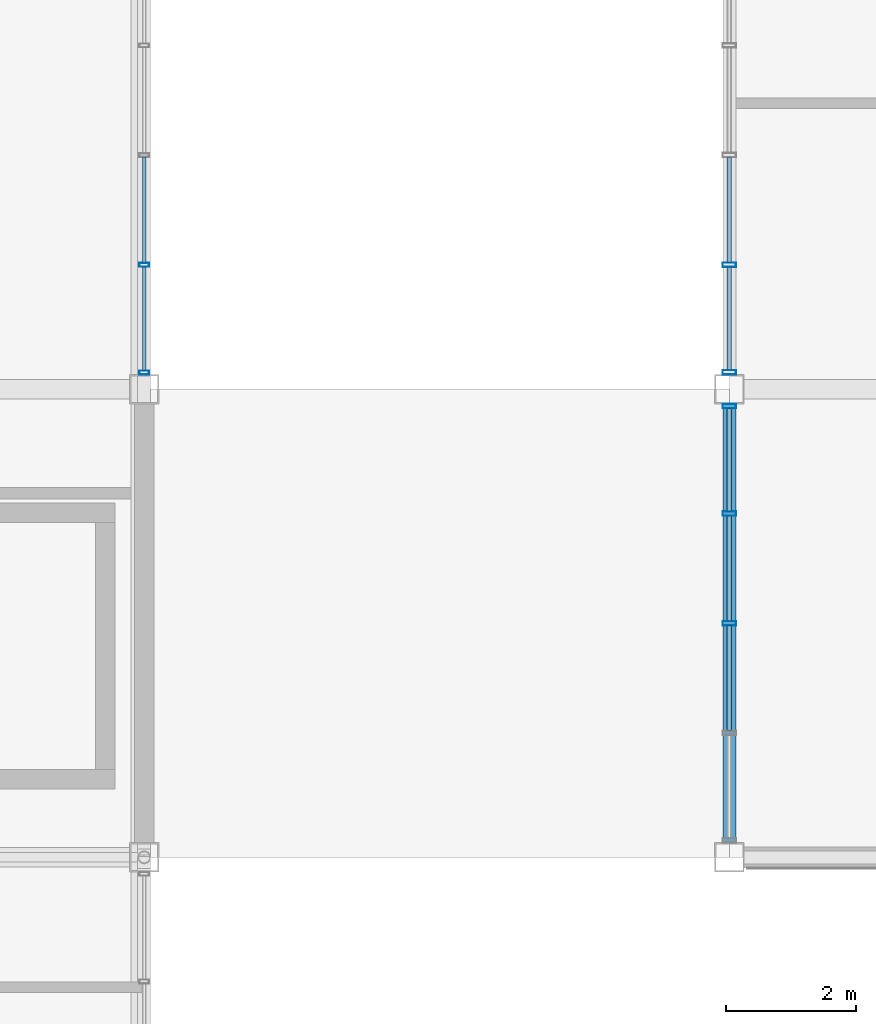
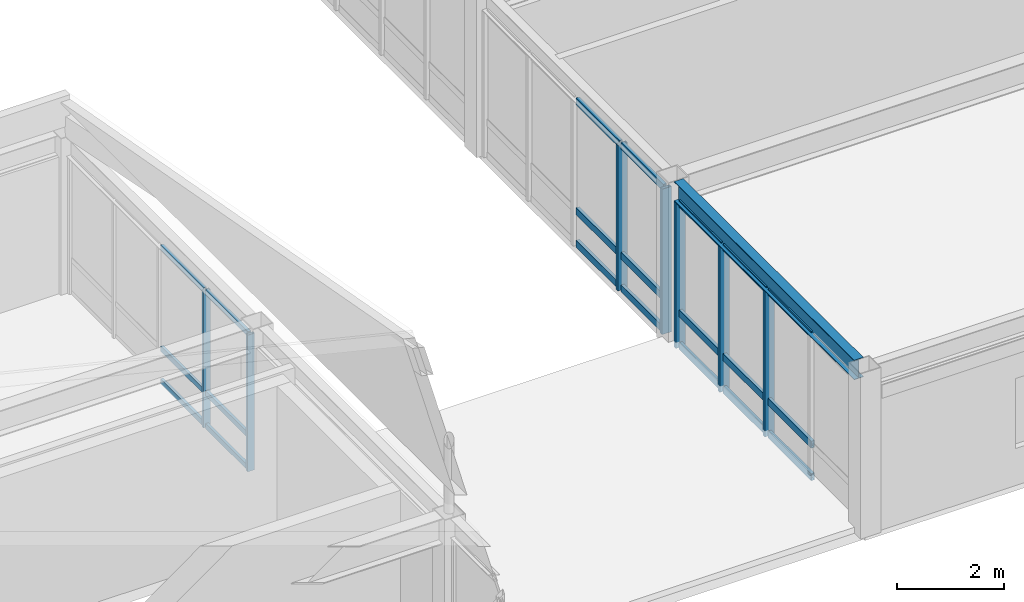
# One storey, part 25 of 113: 28 members, 1 beam, 3 elements without a shape of their own.
"""IFC4 building model written with IfcOpenShell, lengths in metres."""

from ifc_helpers import new_model, si_unit, direction, frame, origin, origin_2d, place, context, subcontext, project, spatial, hollow_rectangle, i_section, extrude, material, material_profile, profile_set, type_object, element, aggregate, save


model = new_model("IFC4")

# Units and contexts
model_context = context("Model", 3, precision=1e-05, world=origin(), true_north=direction((0.0, 1.0)))
body_context = subcontext(model_context, "Body", "Model", "MODEL_VIEW")
ifc_project = project(units=[si_unit("LENGTHUNIT", "METRE"), si_unit("AREAUNIT", "SQUARE_METRE"), si_unit("VOLUMEUNIT", "CUBIC_METRE"), si_unit("PLANEANGLEUNIT", "RADIAN"), si_unit("MASSUNIT", "GRAM", prefix="KILO")], contexts=[model_context])

# Site, building, storey
site_placement = place(None, origin())
site = spatial("IfcSite", under=ifc_project, at=site_placement, CompositionType="ELEMENT")
building_placement = place(site_placement, origin())
building = spatial("IfcBuilding", under=site, at=building_placement, Name="Kazanami Central Library", CompositionType="ELEMENT")
storey_placement = place(building_placement, frame((0.0, 0.0, 8.800048828125)))
storey = spatial("IfcBuildingStorey", under=building, at=storey_placement, Name="L03", CompositionType="ELEMENT", Elevation=8.800048828125)

# Beam
ifc_material_1 = material(Name="Steel SN490B (325 MPa)", Category="steel")
ifc_material_profile_1 = material_profile(ifc_material_1, i_section(OverallWidth=0.199951171875, OverallDepth=0.449951171875, WebThickness=0.009033203125, FlangeThickness=0.013916015625, at=origin_2d()), Name="H-450x200x9x14")
ifc_profile_set_1 = profile_set([ifc_material_profile_1], Name="Steel SN490B (325 MPa)")
beam_type = type_object("IfcBeamType", Name="BM-SP-2", PredefinedType="SPANDREL", material=ifc_profile_set_1)
beam_placement = place(storey_placement, frame((45.0, 21.822998046875, 3.554931640625), z_axis=(0.0, 1.0, 0.0), x_axis=(-1.0, 0.0, 0.0)))
element("IfcBeam", 1, at=beam_placement, inside=storey, type_object=beam_type, Name="Girder SP-2 L03 6/D-E", PredefinedType="SPANDREL", context=body_context, shape_type="SweptSolid", body=[
    extrude(i_section(OverallWidth=0.199951171875, OverallDepth=0.449951171875, WebThickness=0.009033203125, FlangeThickness=0.013916015625, at=origin_2d()), origin(), (0.0, 0.0, 1.0), 6.75390625),
])

# Curtain wall, members
ifc_material_2 = material(Name="Acid-Etched Low-E Laminated Glass", Category="glass")
curtain_wall_type_1 = type_object("IfcCurtainWallType", Name="CW-6750x3330-M180", PredefinedType="USERDEFINED", material=ifc_material_2)
curtain_wall_1_placement = place(storey_placement, origin())
curtain_wall_1 = element("IfcCurtainWall", 2, at=curtain_wall_1_placement, inside=storey, type_object=curtain_wall_type_1, Name="Covered Link Bridge Curtain Wall CW-34 L03 W-6-03", ObjectType="UNITISED CURTAIN WALL", PredefinedType="USERDEFINED")
ifc_material_3 = material(Name="Anodised Aluminium A6063-T5", Category="aluminium")
ifc_material_profile_2 = material_profile(ifc_material_3, hollow_rectangle(XDim=0.070068359375, YDim=0.2099609375, WallThickness=0.0048828125, at=origin_2d()), Name="ALU-MULL-70x210x5")
ifc_profile_set_2 = profile_set([ifc_material_profile_2], Name="Anodised Aluminium A6063-T5")
member_type_1 = type_object("IfcMemberType", Name="MEM-CW-M1", PredefinedType="MULLION", material=ifc_profile_set_2)
member_1_placement = place(storey_placement, frame((45.0, 25.199951171875, 0.0), z_axis=(0.0, 0.0, 1.0), x_axis=(0.0, 1.0, 0.0)))
member_1 = element("IfcMember", 3, at=member_1_placement, type_object=member_type_1, Name="CW-34 mullion 3", PredefinedType="MULLION", context=body_context, shape_type="SweptSolid", body=[
    extrude(hollow_rectangle(XDim=0.070068359375, YDim=0.2099609375, WallThickness=0.0048828125, at=origin_2d()), origin(), (0.0, 0.0, 1.0), 3.329833984375),
])
member_2_placement = place(storey_placement, frame((45.0, 26.887451171875, 0.0), z_axis=(0.0, 0.0, 1.0), x_axis=(0.0, 1.0, 0.0)))
member_2 = element("IfcMember", 4, at=member_2_placement, type_object=member_type_1, Name="CW-34 mullion 4", PredefinedType="MULLION", context=body_context, shape_type="SweptSolid", body=[
    extrude(hollow_rectangle(XDim=0.070068359375, YDim=0.2099609375, WallThickness=0.0048828125, at=origin_2d()), origin(), (0.0, 0.0, 1.0), 3.329833984375),
])
member_3_placement = place(storey_placement, frame((45.0, 28.5400390625, 0.0), z_axis=(0.0, 0.0, 1.0), x_axis=(0.0, 1.0, 0.0)))
member_3 = element("IfcMember", 5, at=member_3_placement, type_object=member_type_1, Name="CW-34 mullion 5", PredefinedType="MULLION", context=body_context, shape_type="SweptSolid", body=[
    extrude(hollow_rectangle(XDim=0.070068359375, YDim=0.2099609375, WallThickness=0.0048828125, at=origin_2d()), origin(), (0.0, 0.0, 1.0), 3.329833984375),
])

curtain_wall_2_placement = place(storey_placement, origin())
curtain_wall_2 = element("IfcCurtainWall", 6, at=curtain_wall_2_placement, inside=storey, type_object=curtain_wall_type_1, Name="Covered Link Bridge Curtain Wall CW-34 L03 W-6-04", ObjectType="UNITISED CURTAIN WALL", PredefinedType="USERDEFINED")
member_4_placement = place(storey_placement, frame((45.0, 29.06005859375, 0.0), z_axis=(0.0, 0.0, 1.0), x_axis=(0.0, 1.0, 0.0)))
member_4 = element("IfcMember", 7, at=member_4_placement, type_object=member_type_1, Name="CW-34 mullion 1", PredefinedType="MULLION", context=body_context, shape_type="SweptSolid", body=[
    extrude(hollow_rectangle(XDim=0.070068359375, YDim=0.2099609375, WallThickness=0.0048828125, at=origin_2d()), origin(), (0.0, 0.0, 1.0), 3.329833984375),
])
member_5_placement = place(storey_placement, frame((45.0, 30.71240234375, 0.0), z_axis=(0.0, 0.0, 1.0), x_axis=(0.0, 1.0, 0.0)))
member_5 = element("IfcMember", 8, at=member_5_placement, type_object=member_type_1, Name="CW-34 mullion 2", PredefinedType="MULLION", context=body_context, shape_type="SweptSolid", body=[
    extrude(hollow_rectangle(XDim=0.070068359375, YDim=0.2099609375, WallThickness=0.0048828125, at=origin_2d()), origin(), (0.0, 0.0, 1.0), 3.329833984375),
])

curtain_wall_type_2 = type_object("IfcCurtainWallType", Name="CW-6750x3130-M180", PredefinedType="USERDEFINED", material=ifc_material_2)
curtain_wall_3_placement = place(storey_placement, origin())
curtain_wall_3 = element("IfcCurtainWall", 9, at=curtain_wall_3_placement, inside=storey, type_object=curtain_wall_type_2, Name="Covered Link Bridge Curtain Wall CW-33 L03 E-5-04", ObjectType="UNITISED CURTAIN WALL", PredefinedType="USERDEFINED")
ifc_material_profile_3 = material_profile(ifc_material_3, hollow_rectangle(XDim=0.06005859375, YDim=0.14990234375, WallThickness=0.00390625, at=origin_2d()), Name="ALU-MULL-60x150x4")
ifc_profile_set_3 = profile_set([ifc_material_profile_3], Name="Anodised Aluminium A6063-T5")
member_type_2 = type_object("IfcMemberType", Name="MEM-CW-M3", PredefinedType="MULLION", material=ifc_profile_set_3)
member_6_placement = place(storey_placement, frame((36.0, 30.71240234375, 0.0), z_axis=(0.0, 0.0, 1.0), x_axis=(0.0, -1.0, 0.0)))
member_6 = element("IfcMember", 10, at=member_6_placement, type_object=member_type_2, Name="CW-33 mullion 4", PredefinedType="MULLION", context=body_context, shape_type="SweptSolid", body=[
    extrude(hollow_rectangle(XDim=0.06005859375, YDim=0.14990234375, WallThickness=0.00390625, at=origin_2d()), origin(), (0.0, 0.0, 1.0), 3.1298828125),
])
member_7_placement = place(storey_placement, frame((36.0, 29.054931640625, 0.0), z_axis=(0.0, 0.0, 1.0), x_axis=(0.0, -1.0, 0.0)))
member_7 = element("IfcMember", 11, at=member_7_placement, type_object=member_type_2, Name="CW-33 mullion 5", PredefinedType="MULLION", context=body_context, shape_type="SweptSolid", body=[
    extrude(hollow_rectangle(XDim=0.06005859375, YDim=0.14990234375, WallThickness=0.00390625, at=origin_2d()), origin(), (0.0, 0.0, 1.0), 3.1298828125),
])

# Member
ifc_material_profile_4 = material_profile(ifc_material_3, hollow_rectangle(XDim=0.070068359375, YDim=0.159912109375, WallThickness=0.00390625, at=origin_2d()), Name="ALU-TRAN-70x160x4")
ifc_profile_set_4 = profile_set([ifc_material_profile_4], Name="Anodised Aluminium A6063-T5")
member_type_3 = type_object("IfcMemberType", Name="MEM-CW-T1", PredefinedType="USERDEFINED", material=ifc_profile_set_4)
member_8_placement = place(storey_placement, frame((45.0, 23.547607421875, 0.034912109375), z_axis=(0.0, 1.0, 0.0), x_axis=(-1.0, 0.0, 0.0)))
member_8 = element("IfcMember", 12, at=member_8_placement, type_object=member_type_3, Name="CW-34 transom 2.1", ObjectType="TRANSOM", PredefinedType="USERDEFINED", context=body_context, shape_type="SweptSolid", body=[
    extrude(hollow_rectangle(XDim=0.070068359375, YDim=0.159912109375, WallThickness=0.00390625, at=origin_2d()), origin(), (0.0, 0.0, 1.0), 1.617431640625),
])

member_9_placement = place(storey_placement, frame((45.0, 23.547607421875, 0.780029296875), z_axis=(0.0, 1.0, 0.0), x_axis=(-1.0, 0.0, 0.0)))
member_9 = element("IfcMember", 13, at=member_9_placement, type_object=member_type_3, Name="CW-34 transom 2.2", ObjectType="TRANSOM", PredefinedType="USERDEFINED", context=body_context, shape_type="SweptSolid", body=[
    extrude(hollow_rectangle(XDim=0.070068359375, YDim=0.159912109375, WallThickness=0.00390625, at=origin_2d()), origin(), (0.0, 0.0, 1.0), 1.617431640625),
])

member_10_placement = place(storey_placement, frame((45.0, 23.547607421875, 3.294921875), z_axis=(0.0, 1.0, 0.0), x_axis=(-1.0, 0.0, 0.0)))
member_10 = element("IfcMember", 14, at=member_10_placement, type_object=member_type_3, Name="CW-34 transom 2.3", ObjectType="TRANSOM", PredefinedType="USERDEFINED", context=body_context, shape_type="SweptSolid", body=[
    extrude(hollow_rectangle(XDim=0.070068359375, YDim=0.159912109375, WallThickness=0.00390625, at=origin_2d()), origin(), (0.0, 0.0, 1.0), 1.617431640625),
])

member_11_placement = place(storey_placement, frame((45.0, 25.235107421875, 0.034912109375), z_axis=(0.0, 1.0, 0.0), x_axis=(-1.0, 0.0, 0.0)))
member_11 = element("IfcMember", 15, at=member_11_placement, type_object=member_type_3, Name="CW-34 transom 3.1", ObjectType="TRANSOM", PredefinedType="USERDEFINED", context=body_context, shape_type="SweptSolid", body=[
    extrude(hollow_rectangle(XDim=0.070068359375, YDim=0.159912109375, WallThickness=0.00390625, at=origin_2d()), origin(), (0.0, 0.0, 1.0), 1.617431640625),
])

member_12_placement = place(storey_placement, frame((45.0, 25.235107421875, 0.780029296875), z_axis=(0.0, 1.0, 0.0), x_axis=(-1.0, 0.0, 0.0)))
member_12 = element("IfcMember", 16, at=member_12_placement, type_object=member_type_3, Name="CW-34 transom 3.2", ObjectType="TRANSOM", PredefinedType="USERDEFINED", context=body_context, shape_type="SweptSolid", body=[
    extrude(hollow_rectangle(XDim=0.070068359375, YDim=0.159912109375, WallThickness=0.00390625, at=origin_2d()), origin(), (0.0, 0.0, 1.0), 1.617431640625),
])

member_13_placement = place(storey_placement, frame((45.0, 25.235107421875, 3.294921875), z_axis=(0.0, 1.0, 0.0), x_axis=(-1.0, 0.0, 0.0)))
member_13 = element("IfcMember", 17, at=member_13_placement, type_object=member_type_3, Name="CW-34 transom 3.3", ObjectType="TRANSOM", PredefinedType="USERDEFINED", context=body_context, shape_type="SweptSolid", body=[
    extrude(hollow_rectangle(XDim=0.070068359375, YDim=0.159912109375, WallThickness=0.00390625, at=origin_2d()), origin(), (0.0, 0.0, 1.0), 1.617431640625),
])

member_14_placement = place(storey_placement, frame((45.0, 26.922607421875, 0.034912109375), z_axis=(0.0, 1.0, 0.0), x_axis=(-1.0, 0.0, 0.0)))
member_14 = element("IfcMember", 18, at=member_14_placement, type_object=member_type_3, Name="CW-34 transom 4.1", ObjectType="TRANSOM", PredefinedType="USERDEFINED", context=body_context, shape_type="SweptSolid", body=[
    extrude(hollow_rectangle(XDim=0.070068359375, YDim=0.159912109375, WallThickness=0.00390625, at=origin_2d()), origin(), (0.0, 0.0, 1.0), 1.582275390625),
])

member_15_placement = place(storey_placement, frame((45.0, 26.922607421875, 0.780029296875), z_axis=(0.0, 1.0, 0.0), x_axis=(-1.0, 0.0, 0.0)))
member_15 = element("IfcMember", 19, at=member_15_placement, type_object=member_type_3, Name="CW-34 transom 4.2", ObjectType="TRANSOM", PredefinedType="USERDEFINED", context=body_context, shape_type="SweptSolid", body=[
    extrude(hollow_rectangle(XDim=0.070068359375, YDim=0.159912109375, WallThickness=0.00390625, at=origin_2d()), origin(), (0.0, 0.0, 1.0), 1.582275390625),
])

member_16_placement = place(storey_placement, frame((45.0, 26.922607421875, 3.294921875), z_axis=(0.0, 1.0, 0.0), x_axis=(-1.0, 0.0, 0.0)))
member_16 = element("IfcMember", 20, at=member_16_placement, type_object=member_type_3, Name="CW-34 transom 4.3", ObjectType="TRANSOM", PredefinedType="USERDEFINED", context=body_context, shape_type="SweptSolid", body=[
    extrude(hollow_rectangle(XDim=0.070068359375, YDim=0.159912109375, WallThickness=0.00390625, at=origin_2d()), origin(), (0.0, 0.0, 1.0), 1.582275390625),
])

aggregate(curtain_wall_1, [member_1, member_2, member_3, member_8, member_9, member_10, member_11, member_12, member_13, member_14, member_15, member_16])

member_17_placement = place(storey_placement, frame((45.0, 29.094970703125, 0.034912109375), z_axis=(0.0, 1.0, 0.0), x_axis=(-1.0, 0.0, 0.0)))
member_17 = element("IfcMember", 21, at=member_17_placement, type_object=member_type_3, Name="CW-34 transom 1.1", ObjectType="TRANSOM", PredefinedType="USERDEFINED", context=body_context, shape_type="SweptSolid", body=[
    extrude(hollow_rectangle(XDim=0.070068359375, YDim=0.159912109375, WallThickness=0.00390625, at=origin_2d()), origin(), (0.0, 0.0, 1.0), 1.58251953125),
])

member_18_placement = place(storey_placement, frame((45.0, 29.094970703125, 0.780029296875), z_axis=(0.0, 1.0, 0.0), x_axis=(-1.0, 0.0, 0.0)))
member_18 = element("IfcMember", 22, at=member_18_placement, type_object=member_type_3, Name="CW-34 transom 1.2", ObjectType="TRANSOM", PredefinedType="USERDEFINED", context=body_context, shape_type="SweptSolid", body=[
    extrude(hollow_rectangle(XDim=0.070068359375, YDim=0.159912109375, WallThickness=0.00390625, at=origin_2d()), origin(), (0.0, 0.0, 1.0), 1.58251953125),
])

member_19_placement = place(storey_placement, frame((45.0, 29.094970703125, 3.294921875), z_axis=(0.0, 1.0, 0.0), x_axis=(-1.0, 0.0, 0.0)))
member_19 = element("IfcMember", 23, at=member_19_placement, type_object=member_type_3, Name="CW-34 transom 1.3", ObjectType="TRANSOM", PredefinedType="USERDEFINED", context=body_context, shape_type="SweptSolid", body=[
    extrude(hollow_rectangle(XDim=0.070068359375, YDim=0.159912109375, WallThickness=0.00390625, at=origin_2d()), origin(), (0.0, 0.0, 1.0), 1.58251953125),
])

member_20_placement = place(storey_placement, frame((45.0, 30.74755859375, 0.034912109375), z_axis=(0.0, 1.0, 0.0), x_axis=(-1.0, 0.0, 0.0)))
member_20 = element("IfcMember", 24, at=member_20_placement, type_object=member_type_3, Name="CW-34 transom 2.1", ObjectType="TRANSOM", PredefinedType="USERDEFINED", context=body_context, shape_type="SweptSolid", body=[
    extrude(hollow_rectangle(XDim=0.070068359375, YDim=0.159912109375, WallThickness=0.00390625, at=origin_2d()), origin(), (0.0, 0.0, 1.0), 1.617431640625),
])

member_21_placement = place(storey_placement, frame((45.0, 30.74755859375, 0.780029296875), z_axis=(0.0, 1.0, 0.0), x_axis=(-1.0, 0.0, 0.0)))
member_21 = element("IfcMember", 25, at=member_21_placement, type_object=member_type_3, Name="CW-34 transom 2.2", ObjectType="TRANSOM", PredefinedType="USERDEFINED", context=body_context, shape_type="SweptSolid", body=[
    extrude(hollow_rectangle(XDim=0.070068359375, YDim=0.159912109375, WallThickness=0.00390625, at=origin_2d()), origin(), (0.0, 0.0, 1.0), 1.617431640625),
])

member_22_placement = place(storey_placement, frame((45.0, 30.74755859375, 3.294921875), z_axis=(0.0, 1.0, 0.0), x_axis=(-1.0, 0.0, 0.0)))
member_22 = element("IfcMember", 26, at=member_22_placement, type_object=member_type_3, Name="CW-34 transom 2.3", ObjectType="TRANSOM", PredefinedType="USERDEFINED", context=body_context, shape_type="SweptSolid", body=[
    extrude(hollow_rectangle(XDim=0.070068359375, YDim=0.159912109375, WallThickness=0.00390625, at=origin_2d()), origin(), (0.0, 0.0, 1.0), 1.617431640625),
])

aggregate(curtain_wall_2, [member_4, member_5, member_17, member_18, member_19, member_20, member_21, member_22])

ifc_material_profile_5 = material_profile(ifc_material_3, hollow_rectangle(XDim=0.06005859375, YDim=0.1201171875, WallThickness=0.00341796875, at=origin_2d()), Name="ALU-TRAN-60x120x3.5")
ifc_profile_set_5 = profile_set([ifc_material_profile_5], Name="Anodised Aluminium A6063-T5")
member_type_4 = type_object("IfcMemberType", Name="MEM-CW-T3", PredefinedType="USERDEFINED", material=ifc_profile_set_5)
member_23_placement = place(storey_placement, frame((36.0, 32.3701171875, 0.030029296875), z_axis=(0.0, -1.0, 0.0), x_axis=(1.0, 0.0, 0.0)))
member_23 = element("IfcMember", 27, at=member_23_placement, type_object=member_type_4, Name="CW-33 transom 3.1", ObjectType="TRANSOM", PredefinedType="USERDEFINED", context=body_context, shape_type="SweptSolid", body=[
    extrude(hollow_rectangle(XDim=0.06005859375, YDim=0.1201171875, WallThickness=0.00341796875, at=origin_2d()), origin(), (0.0, 0.0, 1.0), 1.627685546875),
])

member_24_placement = place(storey_placement, frame((36.0, 32.3701171875, 0.780029296875), z_axis=(0.0, -1.0, 0.0), x_axis=(1.0, 0.0, 0.0)))
member_24 = element("IfcMember", 28, at=member_24_placement, type_object=member_type_4, Name="CW-33 transom 3.2", ObjectType="TRANSOM", PredefinedType="USERDEFINED", context=body_context, shape_type="SweptSolid", body=[
    extrude(hollow_rectangle(XDim=0.06005859375, YDim=0.1201171875, WallThickness=0.00341796875, at=origin_2d()), origin(), (0.0, 0.0, 1.0), 1.627685546875),
])

member_25_placement = place(storey_placement, frame((36.0, 32.3701171875, 3.099853515625), z_axis=(0.0, -1.0, 0.0), x_axis=(1.0, 0.0, 0.0)))
member_25 = element("IfcMember", 29, at=member_25_placement, type_object=member_type_4, Name="CW-33 transom 3.3", ObjectType="TRANSOM", PredefinedType="USERDEFINED", context=body_context, shape_type="SweptSolid", body=[
    extrude(hollow_rectangle(XDim=0.06005859375, YDim=0.1201171875, WallThickness=0.00341796875, at=origin_2d()), origin(), (0.0, 0.0, 1.0), 1.627685546875),
])

member_26_placement = place(storey_placement, frame((36.0, 30.6826171875, 0.030029296875), z_axis=(0.0, -1.0, 0.0), x_axis=(1.0, 0.0, 0.0)))
member_26 = element("IfcMember", 30, at=member_26_placement, type_object=member_type_4, Name="CW-33 transom 4.1", ObjectType="TRANSOM", PredefinedType="USERDEFINED", context=body_context, shape_type="SweptSolid", body=[
    extrude(hollow_rectangle(XDim=0.06005859375, YDim=0.1201171875, WallThickness=0.00341796875, at=origin_2d()), origin(), (0.0, 0.0, 1.0), 1.59765625),
])

member_27_placement = place(storey_placement, frame((36.0, 30.6826171875, 0.780029296875), z_axis=(0.0, -1.0, 0.0), x_axis=(1.0, 0.0, 0.0)))
member_27 = element("IfcMember", 31, at=member_27_placement, type_object=member_type_4, Name="CW-33 transom 4.2", ObjectType="TRANSOM", PredefinedType="USERDEFINED", context=body_context, shape_type="SweptSolid", body=[
    extrude(hollow_rectangle(XDim=0.06005859375, YDim=0.1201171875, WallThickness=0.00341796875, at=origin_2d()), origin(), (0.0, 0.0, 1.0), 1.59765625),
])

member_28_placement = place(storey_placement, frame((36.0, 30.6826171875, 3.099853515625), z_axis=(0.0, -1.0, 0.0), x_axis=(1.0, 0.0, 0.0)))
member_28 = element("IfcMember", 32, at=member_28_placement, type_object=member_type_4, Name="CW-33 transom 4.3", ObjectType="TRANSOM", PredefinedType="USERDEFINED", context=body_context, shape_type="SweptSolid", body=[
    extrude(hollow_rectangle(XDim=0.06005859375, YDim=0.1201171875, WallThickness=0.00341796875, at=origin_2d()), origin(), (0.0, 0.0, 1.0), 1.59765625),
])

aggregate(curtain_wall_3, [member_6, member_7, member_23, member_24, member_25, member_26, member_27, member_28])

save(model, "model.ifc")
